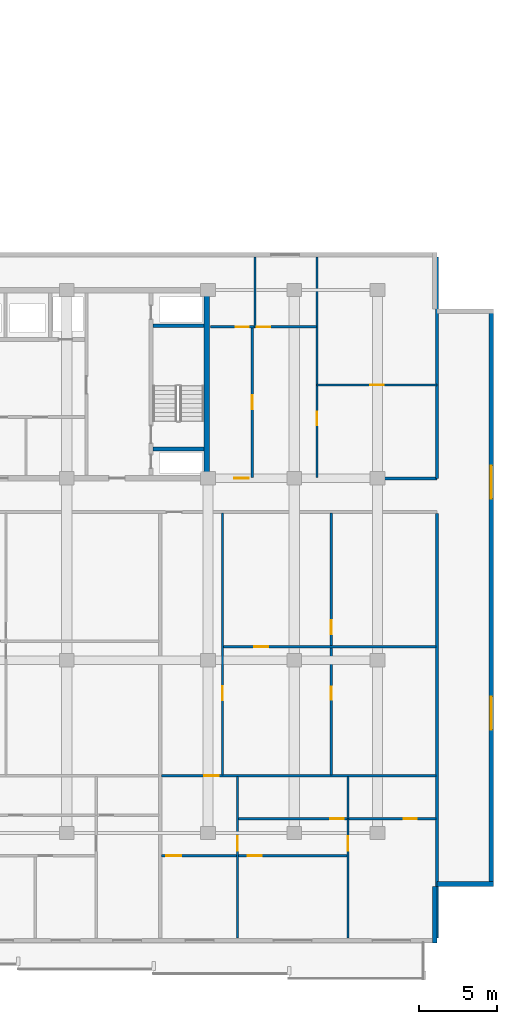
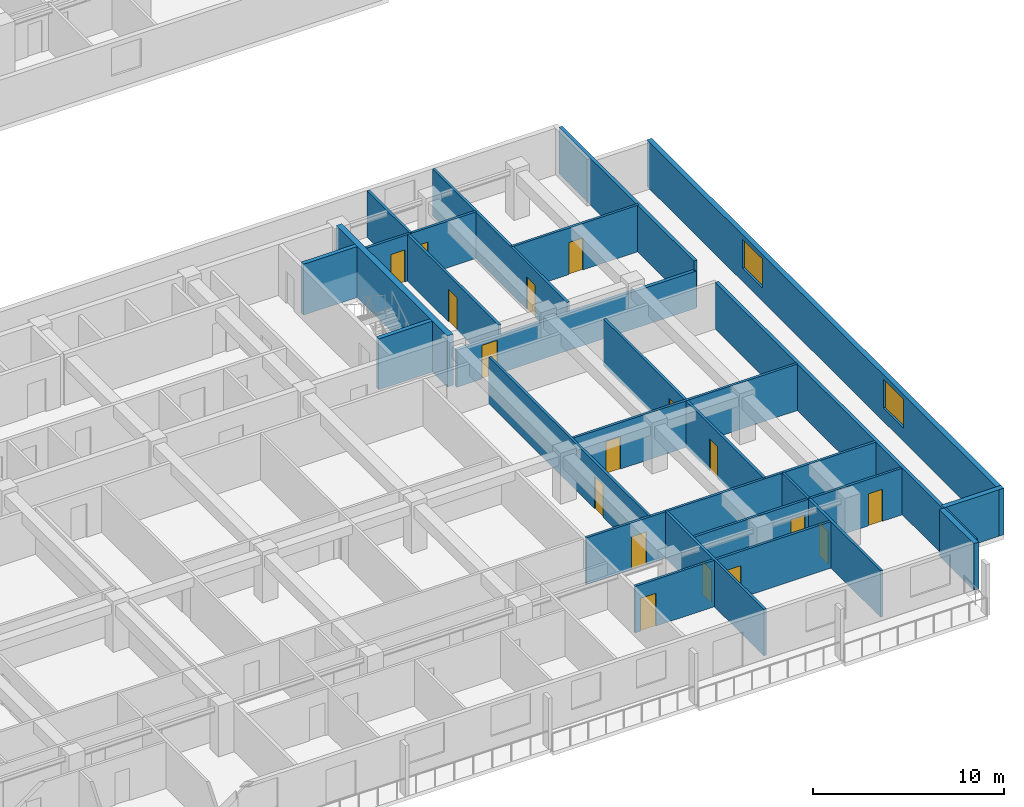
# One storey, part 8 of 23: 23 walls, 17 doors, 2 windows, 19 openings.
"""IFC4 building model written with IfcOpenShell, lengths in metres."""

from ifc_helpers import new_model, si_unit, direction, frame, frame_2d, origin, place, context, subcontext, project, spatial, rectangle, extrude, material, layer, layer_set, type_object, element, fill, save


model = new_model("IFC4")

# Units and contexts
model_context = context("Model", 3, precision=1e-05, world=origin(), true_north=direction((0.0, 1.0)))
body_context = subcontext(model_context, "Body", "Model", "MODEL_VIEW")
ifc_project = project(units=[si_unit("LENGTHUNIT", "METRE"), si_unit("AREAUNIT", "SQUARE_METRE"), si_unit("VOLUMEUNIT", "CUBIC_METRE"), si_unit("PLANEANGLEUNIT", "RADIAN"), si_unit("MASSUNIT", "GRAM", prefix="KILO")], contexts=[model_context])

# Site, building, storey
site_placement = place(None, origin())
site = spatial("IfcSite", under=ifc_project, at=site_placement, CompositionType="ELEMENT")
building_placement = place(site_placement, origin())
building = spatial("IfcBuilding", under=site, at=building_placement, Name="Korimba Cascade Residences", CompositionType="ELEMENT")
storey_placement = place(building_placement, frame((0.0, 0.0, 53.25)))
storey = spatial("IfcBuildingStorey", under=building, at=storey_placement, Name="L14", CompositionType="ELEMENT", Elevation=53.25)

# Walls
ifc_material_1 = material(Name="Precast concrete C40/50", Category="concrete")
ifc_layer_1 = layer(ifc_material_1, 0.300048828125)
ifc_layer_set_1 = layer_set([ifc_layer_1], Name="Precast concrete C40/50")
wall_type_1 = type_object("IfcWallType", Name="EW-STONE-300", PredefinedType="STANDARD", material=ifc_layer_set_1)
wall_1_placement = place(storey_placement, frame((132.550048828125, -11.199951171875, 0.0), z_axis=(0.0, 0.0, 1.0), x_axis=(0.0, 1.0, 0.0)))
element("IfcWall", 1, at=wall_1_placement, inside=storey, type_object=wall_type_1, Name="L14 T2 Perimeter Stone Wall E01", PredefinedType="STANDARD", context=body_context, shape_type="SweptSolid", body=[
    extrude(rectangle(XDim=3.599853515625, YDim=0.300048828125, at=frame_2d((1.7998046875, 0.0))), origin(), (0.0, 0.0, 1.0), 2.969970703125),
])
wall_2_placement = place(storey_placement, frame((132.699951171875, -7.449951171875, 0.0), z_axis=(0.0, 0.0, 1.0), x_axis=(1.0, 0.0, 0.0)))
element("IfcWall", 2, at=wall_2_placement, inside=storey, type_object=wall_type_1, Name="L14 T2 Perimeter Stone Wall E02", PredefinedType="STANDARD", context=body_context, shape_type="SweptSolid", body=[
    extrude(rectangle(XDim=3.60009765625, YDim=0.300048828125, at=frame_2d((1.800048828125, 0.0))), origin(), (0.0, 0.0, 1.0), 2.969970703125),
])

# Wall, openings, windows
wall_3_placement = place(storey_placement, frame((136.14990234375, -7.60009765625, 0.0), z_axis=(0.0, 0.0, 1.0), x_axis=(0.0, 1.0, 0.0)))
wall_3 = element("IfcWall", 3, at=wall_3_placement, inside=storey, type_object=wall_type_1, Name="L14 T2 Perimeter Stone Wall E03", PredefinedType="STANDARD", context=body_context, shape_type="SweptSolid", body=[
    extrude(rectangle(XDim=36.800048828125, YDim=0.300048828125, at=frame_2d((18.39990234375, 0.0))), origin(), (0.0, 0.0, 1.0), 2.969970703125),
])
opening_1_placement = place(wall_3_placement, frame((9.989990234375, 0.0, 0.85009765625)))
opening_1 = element("IfcOpeningElement", 4, at=opening_1_placement, cuts=wall_3, Name="Opening W-03", PredefinedType="OPENING", context=body_context, shape_type="SweptSolid", body=[
    extrude(rectangle(XDim=2.10009765625, YDim=1.85009765625, at=frame_2d((1.050048828125, 0.925048828125))), frame((0.0, 0.16015625, 0.0), z_axis=(0.0, -1.0, 0.0), x_axis=(1.0, 0.0, 0.0)), (0.0, 0.0, 1.0), 0.320068359375),
])
opening_2_placement = place(wall_3_placement, frame((24.7099609375, 0.0, 0.85009765625)))
opening_2 = element("IfcOpeningElement", 5, at=opening_2_placement, cuts=wall_3, Name="Opening W-03", PredefinedType="OPENING", context=body_context, shape_type="SweptSolid", body=[
    extrude(rectangle(XDim=2.10009765625, YDim=1.85009765625, at=frame_2d((1.050048828125, 0.925048828125))), frame((0.0, 0.16015625, 0.0), z_axis=(0.0, -1.0, 0.0), x_axis=(1.0, 0.0, 0.0)), (0.0, 0.0, 1.0), 0.320068359375),
])
ifc_material_2 = material(Name="Double-Glazed Aluminium Window", Category="aluminium")
window_type = type_object("IfcWindowType", Name="WIN-CRN-2100", PartitioningType="DOUBLE_PANEL_HORIZONTAL", PredefinedType="WINDOW", material=ifc_material_2)
window_1_placement = place(opening_1_placement, origin())
window_1 = element("IfcWindow", 6, at=window_1_placement, inside=storey, type_object=window_type, Name="L14 T2 End View Window 3.1", OverallHeight=1.85009765625, OverallWidth=2.10009765625, PartitioningType="DOUBLE_PANEL_HORIZONTAL", PredefinedType="WINDOW", context=body_context, shape_type="SweptSolid", body=[
    extrude(rectangle(XDim=2.10009765625, YDim=1.85009765625, at=frame_2d((1.050048828125, 0.925048828125))), frame((0.0, 0.030029296875, 0.0), z_axis=(0.0, -1.0, 0.0), x_axis=(1.0, 0.0, 0.0)), (0.0, 0.0, 1.0), 0.06005859375),
])
fill(opening_1, window_1)
window_2_placement = place(opening_2_placement, origin())
window_2 = element("IfcWindow", 7, at=window_2_placement, inside=storey, type_object=window_type, Name="L14 T2 End View Window 3.2", OverallHeight=1.85009765625, OverallWidth=2.10009765625, PartitioningType="DOUBLE_PANEL_HORIZONTAL", PredefinedType="WINDOW", context=body_context, shape_type="SweptSolid", body=[
    extrude(rectangle(XDim=2.10009765625, YDim=1.85009765625, at=frame_2d((1.050048828125, 0.925048828125))), frame((0.0, 0.030029296875, 0.0), z_axis=(0.0, -1.0, 0.0), x_axis=(1.0, 0.0, 0.0)), (0.0, 0.0, 1.0), 0.06005859375),
])
fill(opening_2, window_2)

# Walls
ifc_material_3 = material(Name="Concrete C65/80", Category="concrete")
ifc_layer_2 = layer(ifc_material_3, 0.35009765625)
ifc_layer_set_2 = layer_set([ifc_layer_2], Name="Concrete C65/80")
wall_type_2 = type_object("IfcWallType", Name="WAL-CORE-350", PredefinedType="SHEAR", material=ifc_layer_set_2)
wall_4_placement = place(storey_placement, frame((118.014892578125, 18.574951171875, 0.0), z_axis=(0.0, 0.0, 1.0), x_axis=(0.0, 1.0, 0.0)))
element("IfcWall", 8, at=wall_4_placement, inside=storey, type_object=wall_type_2, Name="L14 Core Shear Wall CW-L14-T2-E", PredefinedType="SHEAR", context=body_context, shape_type="SweptSolid", body=[
    extrude(rectangle(XDim=11.650146484375, YDim=0.35009765625, at=frame_2d((5.8251953125, 0.0))), origin(), (0.0, 0.0, 1.0), 3.25),
])
ifc_layer_3 = layer(ifc_material_1, 0.199951171875)
ifc_layer_set_3 = layer_set([ifc_layer_3], Name="Precast concrete C40/50")
wall_type_3 = type_object("IfcWallType", Name="WAL-IT-200", PredefinedType="PARTITIONING", material=ifc_layer_set_3)
wall_5_placement = place(storey_placement, frame((132.699951171875, 18.39990234375, 0.0), z_axis=(0.0, 0.0, 1.0), x_axis=(0.0, 1.0, 0.0)))
element("IfcWall", 9, at=wall_5_placement, inside=storey, type_object=wall_type_3, Name="L14 Partition Wall WAL-L14-T2-FE-WR", PredefinedType="PARTITIONING", context=body_context, shape_type="SweptSolid", body=[
    extrude(rectangle(XDim=14.10009765625, YDim=0.199951171875, at=frame_2d((7.050048828125, 0.0))), origin(), (0.0, 0.0, 1.0), 2.969970703125),
])

# Wall, opening, door
wall_6_placement = place(storey_placement, frame((118.25, 18.39990234375, 0.0), z_axis=(0.0, 0.0, 1.0), x_axis=(1.0, 0.0, 0.0)))
wall_6 = element("IfcWall", 10, at=wall_6_placement, inside=storey, type_object=wall_type_3, Name="L14 Partition Wall WAL-L14-T2-FE-S", PredefinedType="PARTITIONING", context=body_context, shape_type="SweptSolid", body=[
    extrude(rectangle(XDim=14.449951171875, YDim=0.199951171875, at=frame_2d((7.22509765625, 0.0))), origin(), (0.0, 0.0, 1.0), 2.3701171875),
])
opening_3_placement = place(wall_6_placement, frame((1.510009765625, 0.0, 0.0)))
opening_3 = element("IfcOpeningElement", 11, at=opening_3_placement, cuts=wall_6, Name="Opening D-UN1", PredefinedType="OPENING", context=body_context, shape_type="SweptSolid", body=[
    extrude(rectangle(XDim=0.949951171875, YDim=2.14990234375, at=frame_2d((0.47509765625, 1.074951171875))), frame((0.0, 0.10986328125, 0.0), z_axis=(0.0, -1.0, 0.0), x_axis=(1.0, 0.0, 0.0)), (0.0, 0.0, 1.0), 0.219970703125),
])
ifc_material_4 = material(Name="Fire-Rated Hardwood Apartment Entrance Door", Category="wood")
door_type_1 = type_object("IfcDoorType", Name="DR-FD60-950", OperationType="NOTDEFINED", PredefinedType="DOOR", material=ifc_material_4)
door_1_placement = place(opening_3_placement, origin())
door_1 = element("IfcDoor", 12, at=door_1_placement, inside=storey, type_object=door_type_1, Name="L14-T2-FE Entrance Door", OperationType="SINGLE_SWING_RIGHT", OverallHeight=2.14990234375, OverallWidth=0.949951171875, PredefinedType="DOOR", context=body_context, shape_type="SweptSolid", body=[
    extrude(rectangle(XDim=0.949951171875, YDim=2.14990234375, at=frame_2d((0.47509765625, 1.074951171875))), frame((0.0, 0.02490234375, 0.0), z_axis=(0.0, -1.0, 0.0), x_axis=(1.0, 0.0, 0.0)), (0.0, 0.0, 1.0), 0.050048828125),
])
fill(opening_3, door_1)

# Wall
wall_7_placement = place(storey_placement, frame((132.699951171875, -10.89990234375, 0.0), z_axis=(0.0, 0.0, 1.0), x_axis=(0.0, 1.0, 0.0)))
element("IfcWall", 13, at=wall_7_placement, inside=storey, type_object=wall_type_3, Name="L14 Partition Wall WAL-L14-T2-BNDWR", PredefinedType="PARTITIONING", context=body_context, shape_type="SweptSolid", body=[
    extrude(rectangle(XDim=27.06982421875, YDim=0.199951171875, at=frame_2d((13.534912109375, 0.0))), origin(), (0.0, 0.0, 1.0), 2.969970703125),
])

# Wall, opening, door
ifc_material_5 = material(Name="Insulated Acoustic Stud Partition", Category="gypsum")
ifc_layer_4 = layer(ifc_material_5, 0.14990234375)
ifc_layer_set_4 = layer_set([ifc_layer_4], Name="Insulated Acoustic Stud Partition")
wall_type_4 = type_object("IfcWallType", Name="WAL-PART-150", PredefinedType="PARTITIONING", material=ifc_layer_set_4)
wall_8_placement = place(storey_placement, frame((125.050048828125, 24.35009765625, 0.0), z_axis=(0.0, 0.0, 1.0), x_axis=(1.0, 0.0, 0.0)))
wall_8 = element("IfcWall", 14, at=wall_8_placement, inside=storey, type_object=wall_type_4, Name="L14 Partition Wall WAL-L14-T2-FE-STH", PredefinedType="PARTITIONING", context=body_context, shape_type="SweptSolid", body=[
    extrude(rectangle(XDim=7.64990234375, YDim=0.14990234375, at=frame_2d((3.824951171875, 0.0))), origin(), (0.0, 0.0, 1.0), 2.969970703125),
])
opening_4_placement = place(wall_8_placement, frame((3.405029296875, 0.0, 0.0)))
opening_4 = element("IfcOpeningElement", 15, at=opening_4_placement, cuts=wall_8, Name="Opening D-BT1", PredefinedType="OPENING", context=body_context, shape_type="SweptSolid", body=[
    extrude(rectangle(XDim=0.840087890625, YDim=2.0400390625, at=frame_2d((0.419921875, 1.02001953125))), frame((0.0, 0.0849609375, 0.0), z_axis=(0.0, -1.0, 0.0), x_axis=(1.0, 0.0, 0.0)), (0.0, 0.0, 1.0), 0.169921875),
])
ifc_material_6 = material(Name="Moisture-Resistant Bathroom Timber Door", Category="wood")
door_type_2 = type_object("IfcDoorType", Name="DR-INT-850", OperationType="NOTDEFINED", PredefinedType="DOOR", material=ifc_material_6)
door_2_placement = place(opening_4_placement, origin())
door_2 = element("IfcDoor", 16, at=door_2_placement, inside=storey, type_object=door_type_2, Name="L14-T2-FE Dressing Store Door", OperationType="SINGLE_SWING_LEFT", OverallHeight=2.0400390625, OverallWidth=0.840087890625, PredefinedType="DOOR", context=body_context, shape_type="SweptSolid", body=[
    extrude(rectangle(XDim=0.840087890625, YDim=2.0400390625, at=frame_2d((0.419921875, 1.02001953125))), frame((0.0, 0.02490234375, 0.0), z_axis=(0.0, -1.0, 0.0), x_axis=(1.0, 0.0, 0.0)), (0.0, 0.0, 1.0), 0.050048828125),
])
fill(opening_4, door_2)

wall_9_placement = place(storey_placement, frame((125.050048828125, 18.449951171875, 0.0), z_axis=(0.0, 0.0, 1.0), x_axis=(0.0, 1.0, 0.0)))
wall_9 = element("IfcWall", 17, at=wall_9_placement, inside=storey, type_object=wall_type_4, Name="L14 Partition Wall WAL-L14-T2-FE-STV", PredefinedType="PARTITIONING", context=body_context, shape_type="SweptSolid", body=[
    extrude(rectangle(XDim=14.050048828125, YDim=0.14990234375, at=frame_2d((7.02490234375, 0.0))), origin(), (0.0, 0.0, 1.0), 2.969970703125),
])
opening_5_placement = place(wall_9_placement, frame((3.320068359375, 0.0, 0.0)))
opening_5 = element("IfcOpeningElement", 18, at=opening_5_placement, cuts=wall_9, Name="Opening D-IN2", PredefinedType="OPENING", context=body_context, shape_type="SweptSolid", body=[
    extrude(rectangle(XDim=0.8798828125, YDim=2.06005859375, at=frame_2d((0.43994140625, 1.030029296875))), frame((0.0, 0.0849609375, 0.0), z_axis=(0.0, -1.0, 0.0), x_axis=(1.0, 0.0, 0.0)), (0.0, 0.0, 1.0), 0.169921875),
])
ifc_material_7 = material(Name="Acoustic Timber Bedroom Door", Category="wood")
door_type_3 = type_object("IfcDoorType", Name="DR-INT-880", OperationType="NOTDEFINED", PredefinedType="DOOR", material=ifc_material_7)
door_3_placement = place(opening_5_placement, origin())
door_3 = element("IfcDoor", 19, at=door_3_placement, inside=storey, type_object=door_type_3, Name="L14-T2-FE Study Door", OperationType="SINGLE_SWING_RIGHT", OverallHeight=2.06005859375, OverallWidth=0.8798828125, PredefinedType="DOOR", context=body_context, shape_type="SweptSolid", body=[
    extrude(rectangle(XDim=0.8798828125, YDim=2.06005859375, at=frame_2d((0.43994140625, 1.030029296875))), frame((0.0, 0.02490234375, 0.0), z_axis=(0.0, -1.0, 0.0), x_axis=(1.0, 0.0, 0.0)), (0.0, 0.0, 1.0), 0.050048828125),
])
fill(opening_5, door_3)

wall_10_placement = place(storey_placement, frame((120.929931640625, 18.449951171875, 0.0), z_axis=(0.0, 0.0, 1.0), x_axis=(0.0, 1.0, 0.0)))
wall_10 = element("IfcWall", 20, at=wall_10_placement, inside=storey, type_object=wall_type_4, Name="L14 Partition Wall WAL-L14-T2-FE-VS", PredefinedType="PARTITIONING", context=body_context, shape_type="SweptSolid", body=[
    extrude(rectangle(XDim=9.60009765625, YDim=0.14990234375, at=frame_2d((4.800048828125, 0.0))), origin(), (0.0, 0.0, 1.0), 2.969970703125),
])
opening_6_placement = place(wall_10_placement, frame((4.340087890625, 0.0, 0.0)))
opening_6 = element("IfcOpeningElement", 21, at=opening_6_placement, cuts=wall_10, Name="Opening D-IN1", PredefinedType="OPENING", context=body_context, shape_type="SweptSolid", body=[
    extrude(rectangle(XDim=0.919921875, YDim=2.080078125, at=frame_2d((0.4599609375, 1.0400390625))), frame((0.0, 0.0849609375, 0.0), z_axis=(0.0, -1.0, 0.0), x_axis=(1.0, 0.0, 0.0)), (0.0, 0.0, 1.0), 0.169921875),
])
ifc_material_8 = material(Name="Acoustic Timber Living Door", Category="wood")
door_type_4 = type_object("IfcDoorType", Name="DR-INT-920", OperationType="NOTDEFINED", PredefinedType="DOOR", material=ifc_material_8)
door_4_placement = place(opening_6_placement, origin())
door_4 = element("IfcDoor", 22, at=door_4_placement, inside=storey, type_object=door_type_4, Name="L14-T2-FE Living Door", OperationType="SINGLE_SWING_LEFT", OverallHeight=2.080078125, OverallWidth=0.919921875, PredefinedType="DOOR", context=body_context, shape_type="SweptSolid", body=[
    extrude(rectangle(XDim=0.919921875, YDim=2.080078125, at=frame_2d((0.4599609375, 1.0400390625))), frame((0.0, 0.02490234375, 0.0), z_axis=(0.0, -1.0, 0.0), x_axis=(1.0, 0.0, 0.0)), (0.0, 0.0, 1.0), 0.050048828125),
])
fill(opening_6, door_4)

# Wall
wall_11_placement = place(storey_placement, frame((121.10009765625, 28.050048828125, 0.0), z_axis=(0.0, 0.0, 1.0), x_axis=(0.0, 1.0, 0.0)))
element("IfcWall", 23, at=wall_11_placement, inside=storey, type_object=wall_type_4, Name="L14 Partition Wall WAL-L14-T2-FE-VN", PredefinedType="PARTITIONING", context=body_context, shape_type="SweptSolid", body=[
    extrude(rectangle(XDim=4.449951171875, YDim=0.14990234375, at=frame_2d((2.22509765625, 0.0))), origin(), (0.0, 0.0, 1.0), 2.969970703125),
])

# Wall, openings, doors
wall_12_placement = place(storey_placement, frame((118.27001953125, 28.050048828125, 0.0), z_axis=(0.0, 0.0, 1.0), x_axis=(1.0, 0.0, 0.0)))
wall_12 = element("IfcWall", 24, at=wall_12_placement, inside=storey, type_object=wall_type_4, Name="L14 Partition Wall WAL-L14-T2-FE-H", PredefinedType="PARTITIONING", context=body_context, shape_type="SweptSolid", body=[
    extrude(rectangle(XDim=6.760009765625, YDim=0.14990234375, at=frame_2d((3.3798828125, 0.0))), origin(), (0.0, 0.0, 1.0), 2.969970703125),
])
opening_7_placement = place(wall_12_placement, frame((1.58740234375, 0.0, 0.0)))
opening_7 = element("IfcOpeningElement", 25, at=opening_7_placement, cuts=wall_12, Name="Opening D-BT1", PredefinedType="OPENING", context=body_context, shape_type="SweptSolid", body=[
    extrude(rectangle(XDim=0.840087890625, YDim=2.0400390625, at=frame_2d((0.419921875, 1.02001953125))), frame((0.0, 0.0849609375, 0.0), z_axis=(0.0, -1.0, 0.0), x_axis=(1.0, 0.0, 0.0)), (0.0, 0.0, 1.0), 0.169921875),
])
opening_8_placement = place(wall_12_placement, frame((2.93408203125, 0.0, 0.0)))
opening_8 = element("IfcOpeningElement", 26, at=opening_8_placement, cuts=wall_12, Name="Opening D-IN2", PredefinedType="OPENING", context=body_context, shape_type="SweptSolid", body=[
    extrude(rectangle(XDim=0.8798828125, YDim=2.06005859375, at=frame_2d((0.43994140625, 1.030029296875))), frame((0.0, 0.0849609375, 0.0), z_axis=(0.0, -1.0, 0.0), x_axis=(1.0, 0.0, 0.0)), (0.0, 0.0, 1.0), 0.169921875),
])
door_5_placement = place(opening_7_placement, origin())
door_5 = element("IfcDoor", 27, at=door_5_placement, inside=storey, type_object=door_type_2, Name="L14-T2-FE Bathroom Door", OperationType="SINGLE_SWING_RIGHT", OverallHeight=2.0400390625, OverallWidth=0.840087890625, PredefinedType="DOOR", context=body_context, shape_type="SweptSolid", body=[
    extrude(rectangle(XDim=0.840087890625, YDim=2.0400390625, at=frame_2d((0.419921875, 1.02001953125))), frame((0.0, 0.02490234375, 0.0), z_axis=(0.0, -1.0, 0.0), x_axis=(1.0, 0.0, 0.0)), (0.0, 0.0, 1.0), 0.050048828125),
])
fill(opening_7, door_5)
door_6_placement = place(opening_8_placement, origin())
door_6 = element("IfcDoor", 28, at=door_6_placement, inside=storey, type_object=door_type_3, Name="L14-T2-FE Bedroom Door", OperationType="SINGLE_SWING_LEFT", OverallHeight=2.06005859375, OverallWidth=0.8798828125, PredefinedType="DOOR", context=body_context, shape_type="SweptSolid", body=[
    extrude(rectangle(XDim=0.8798828125, YDim=2.06005859375, at=frame_2d((0.43994140625, 1.030029296875))), frame((0.0, 0.02490234375, 0.0), z_axis=(0.0, -1.0, 0.0), x_axis=(1.0, 0.0, 0.0)), (0.0, 0.0, 1.0), 0.050048828125),
])
fill(opening_8, door_6)

wall_13_placement = place(storey_placement, frame((125.952880859375, -0.510009765625, 0.0), z_axis=(0.0, 0.0, 1.0), x_axis=(0.0, 1.0, 0.0)))
wall_13 = element("IfcWall", 29, at=wall_13_placement, inside=storey, type_object=wall_type_4, Name="L14 Partition Wall WAL-L14-T2-U03-FMV", PredefinedType="PARTITIONING", context=body_context, shape_type="SweptSolid", body=[
    extrude(rectangle(XDim=16.699951171875, YDim=0.14990234375, at=frame_2d((8.35009765625, 0.0))), origin(), (0.0, 0.0, 1.0), 2.969970703125),
])
opening_9_placement = place(wall_13_placement, frame((4.791748046875, 0.0, 0.0)))
opening_9 = element("IfcOpeningElement", 30, at=opening_9_placement, cuts=wall_13, Name="Opening D-BT1", PredefinedType="OPENING", context=body_context, shape_type="SweptSolid", body=[
    extrude(rectangle(XDim=0.840087890625, YDim=2.0400390625, at=frame_2d((0.419921875, 1.02001953125))), frame((0.0, 0.0849609375, 0.0), z_axis=(0.0, -1.0, 0.0), x_axis=(1.0, 0.0, 0.0)), (0.0, 0.0, 1.0), 0.169921875),
])
opening_10_placement = place(wall_13_placement, frame((8.98388671875, 0.0, 0.0)))
opening_10 = element("IfcOpeningElement", 31, at=opening_10_placement, cuts=wall_13, Name="Opening D-IN2", PredefinedType="OPENING", context=body_context, shape_type="SweptSolid", body=[
    extrude(rectangle(XDim=0.8798828125, YDim=2.06005859375, at=frame_2d((0.43994140625, 1.030029296875))), frame((0.0, 0.0849609375, 0.0), z_axis=(0.0, -1.0, 0.0), x_axis=(1.0, 0.0, 0.0)), (0.0, 0.0, 1.0), 0.169921875),
])
door_7_placement = place(opening_9_placement, origin())
door_7 = element("IfcDoor", 32, at=door_7_placement, inside=storey, type_object=door_type_2, Name="L14-T2-U03 Wardrobe Door", OperationType="SINGLE_SWING_RIGHT", OverallHeight=2.0400390625, OverallWidth=0.840087890625, PredefinedType="DOOR", context=body_context, shape_type="SweptSolid", body=[
    extrude(rectangle(XDim=0.840087890625, YDim=2.0400390625, at=frame_2d((0.419921875, 1.02001953125))), frame((0.0, 0.02490234375, 0.0), z_axis=(0.0, -1.0, 0.0), x_axis=(1.0, 0.0, 0.0)), (0.0, 0.0, 1.0), 0.050048828125),
])
fill(opening_9, door_7)
door_8_placement = place(opening_10_placement, origin())
door_8 = element("IfcDoor", 33, at=door_8_placement, inside=storey, type_object=door_type_3, Name="L14-T2-U03 Music Lounge Door", OperationType="SINGLE_SWING_LEFT", OverallHeight=2.06005859375, OverallWidth=0.8798828125, PredefinedType="DOOR", context=body_context, shape_type="SweptSolid", body=[
    extrude(rectangle(XDim=0.8798828125, YDim=2.06005859375, at=frame_2d((0.43994140625, 1.030029296875))), frame((0.0, 0.02490234375, 0.0), z_axis=(0.0, -1.0, 0.0), x_axis=(1.0, 0.0, 0.0)), (0.0, 0.0, 1.0), 0.050048828125),
])
fill(opening_10, door_8)

# Wall, opening, door
wall_14_placement = place(storey_placement, frame((119.085693359375, 7.659912109375, 0.0), z_axis=(0.0, 0.0, 1.0), x_axis=(1.0, 0.0, 0.0)))
wall_14 = element("IfcWall", 34, at=wall_14_placement, inside=storey, type_object=wall_type_4, Name="L14 Partition Wall WAL-L14-T2-U03-FMH", PredefinedType="PARTITIONING", context=body_context, shape_type="SweptSolid", body=[
    extrude(rectangle(XDim=13.534423828125, YDim=0.14990234375, at=frame_2d((6.76708984375, 0.0))), origin(), (0.0, 0.0, 1.0), 2.969970703125),
])
opening_11_placement = place(wall_14_placement, frame((1.97509765625, 0.0, 0.0)))
opening_11 = element("IfcOpeningElement", 35, at=opening_11_placement, cuts=wall_14, Name="Opening D-IN2", PredefinedType="OPENING", context=body_context, shape_type="SweptSolid", body=[
    extrude(rectangle(XDim=0.8798828125, YDim=2.06005859375, at=frame_2d((0.43994140625, 1.030029296875))), frame((0.0, 0.0849609375, 0.0), z_axis=(0.0, -1.0, 0.0), x_axis=(1.0, 0.0, 0.0)), (0.0, 0.0, 1.0), 0.169921875),
])
door_9_placement = place(opening_11_placement, origin())
door_9 = element("IfcDoor", 36, at=door_9_placement, inside=storey, type_object=door_type_3, Name="L14-T2-U03 Library Salon Door", OperationType="SINGLE_SWING_RIGHT", OverallHeight=2.06005859375, OverallWidth=0.8798828125, PredefinedType="DOOR", context=body_context, shape_type="SweptSolid", body=[
    extrude(rectangle(XDim=0.8798828125, YDim=2.06005859375, at=frame_2d((0.43994140625, 1.030029296875))), frame((0.0, 0.02490234375, 0.0), z_axis=(0.0, -1.0, 0.0), x_axis=(1.0, 0.0, 0.0)), (0.0, 0.0, 1.0), 0.050048828125),
])
fill(opening_11, door_9)

wall_15_placement = place(storey_placement, frame((119.02587890625, -0.510009765625, 0.0), z_axis=(0.0, 0.0, 1.0), x_axis=(0.0, 1.0, 0.0)))
wall_15 = element("IfcWall", 37, at=wall_15_placement, inside=storey, type_object=wall_type_4, Name="L14 Partition Wall WAL-L14-T2-U03-FV", PredefinedType="PARTITIONING", context=body_context, shape_type="SweptSolid", body=[
    extrude(rectangle(XDim=16.699951171875, YDim=0.14990234375, at=frame_2d((8.35009765625, 0.0))), origin(), (0.0, 0.0, 1.0), 2.969970703125),
])
opening_12_placement = place(wall_15_placement, frame((4.765380859375, 0.0, 0.0)))
opening_12 = element("IfcOpeningElement", 38, at=opening_12_placement, cuts=wall_15, Name="Opening D-IN2", PredefinedType="OPENING", context=body_context, shape_type="SweptSolid", body=[
    extrude(rectangle(XDim=0.8798828125, YDim=2.06005859375, at=frame_2d((0.43994140625, 1.030029296875))), frame((0.0, 0.0849609375, 0.0), z_axis=(0.0, -1.0, 0.0), x_axis=(1.0, 0.0, 0.0)), (0.0, 0.0, 1.0), 0.169921875),
])
door_10_placement = place(opening_12_placement, origin())
door_10 = element("IfcDoor", 39, at=door_10_placement, inside=storey, type_object=door_type_3, Name="L14-T2-U03 Media Lounge Door", OperationType="SINGLE_SWING_LEFT", OverallHeight=2.06005859375, OverallWidth=0.8798828125, PredefinedType="DOOR", context=body_context, shape_type="SweptSolid", body=[
    extrude(rectangle(XDim=0.8798828125, YDim=2.06005859375, at=frame_2d((0.43994140625, 1.030029296875))), frame((0.0, 0.02490234375, 0.0), z_axis=(0.0, -1.0, 0.0), x_axis=(1.0, 0.0, 0.0)), (0.0, 0.0, 1.0), 0.050048828125),
])
fill(opening_12, door_10)

wall_16_placement = place(storey_placement, frame((119.97998046875, -10.89990234375, 0.0), z_axis=(0.0, 0.0, 1.0), x_axis=(0.0, 1.0, 0.0)))
wall_16 = element("IfcWall", 40, at=wall_16_placement, inside=storey, type_object=wall_type_4, Name="L14 Partition Wall WAL-L14-T2-U03-V1", PredefinedType="PARTITIONING", context=body_context, shape_type="SweptSolid", body=[
    extrude(rectangle(XDim=10.309814453125, YDim=0.14990234375, at=frame_2d((5.15478515625, 0.0))), origin(), (0.0, 0.0, 1.0), 2.969970703125),
])
opening_13_placement = place(wall_16_placement, frame((5.570068359375, 0.0, 0.0)))
opening_13 = element("IfcOpeningElement", 41, at=opening_13_placement, cuts=wall_16, Name="Opening D-IN1", PredefinedType="OPENING", context=body_context, shape_type="SweptSolid", body=[
    extrude(rectangle(XDim=0.919921875, YDim=2.080078125, at=frame_2d((0.4599609375, 1.0400390625))), frame((0.0, 0.0849609375, 0.0), z_axis=(0.0, -1.0, 0.0), x_axis=(1.0, 0.0, 0.0)), (0.0, 0.0, 1.0), 0.169921875),
])
door_11_placement = place(opening_13_placement, origin())
door_11 = element("IfcDoor", 42, at=door_11_placement, inside=storey, type_object=door_type_4, Name="L14-T2-U03 Hallway Door", OperationType="SINGLE_SWING_RIGHT", OverallHeight=2.080078125, OverallWidth=0.919921875, PredefinedType="DOOR", context=body_context, shape_type="SweptSolid", body=[
    extrude(rectangle(XDim=0.919921875, YDim=2.080078125, at=frame_2d((0.4599609375, 1.0400390625))), frame((0.0, 0.02490234375, 0.0), z_axis=(0.0, -1.0, 0.0), x_axis=(1.0, 0.0, 0.0)), (0.0, 0.0, 1.0), 0.050048828125),
])
fill(opening_13, door_11)

# Wall
wall_17_placement = place(storey_placement, frame((127.02001953125, -3.280029296875, 0.0), z_axis=(0.0, 0.0, 1.0), x_axis=(0.0, 1.0, 0.0)))
element("IfcWall", 43, at=wall_17_placement, inside=storey, type_object=wall_type_4, Name="L14 Partition Wall WAL-L14-T2-U03-VBATH", PredefinedType="PARTITIONING", context=body_context, shape_type="SweptSolid", body=[
    extrude(rectangle(XDim=2.68994140625, YDim=0.14990234375, at=frame_2d((1.344970703125, 0.0))), origin(), (0.0, 0.0, 1.0), 2.969970703125),
])

# Wall, opening, door
wall_18_placement = place(storey_placement, frame((127.02001953125, -10.89990234375, 0.0), z_axis=(0.0, 0.0, 1.0), x_axis=(0.0, 1.0, 0.0)))
wall_18 = element("IfcWall", 44, at=wall_18_placement, inside=storey, type_object=wall_type_4, Name="L14 Partition Wall WAL-L14-T2-U03-V2FULL", PredefinedType="PARTITIONING", context=body_context, shape_type="SweptSolid", body=[
    extrude(rectangle(XDim=7.579833984375, YDim=0.14990234375, at=frame_2d((3.7900390625, 0.0))), origin(), (0.0, 0.0, 1.0), 2.969970703125),
])
opening_14_placement = place(wall_18_placement, frame((5.570068359375, 0.0, 0.0)))
opening_14 = element("IfcOpeningElement", 45, at=opening_14_placement, cuts=wall_18, Name="Opening D-IN1", PredefinedType="OPENING", context=body_context, shape_type="SweptSolid", body=[
    extrude(rectangle(XDim=0.919921875, YDim=2.080078125, at=frame_2d((0.4599609375, 1.0400390625))), frame((0.0, 0.0849609375, 0.0), z_axis=(0.0, -1.0, 0.0), x_axis=(1.0, 0.0, 0.0)), (0.0, 0.0, 1.0), 0.169921875),
])
door_12_placement = place(opening_14_placement, origin())
door_12 = element("IfcDoor", 46, at=door_12_placement, inside=storey, type_object=door_type_4, Name="L14-T2-U03 Master Bedroom Door", OperationType="SINGLE_SWING_LEFT", OverallHeight=2.080078125, OverallWidth=0.919921875, PredefinedType="DOOR", context=body_context, shape_type="SweptSolid", body=[
    extrude(rectangle(XDim=0.919921875, YDim=2.080078125, at=frame_2d((0.4599609375, 1.0400390625))), frame((0.0, 0.02490234375, 0.0), z_axis=(0.0, -1.0, 0.0), x_axis=(1.0, 0.0, 0.0)), (0.0, 0.0, 1.0), 0.050048828125),
])
fill(opening_14, door_12)

# Wall, openings, doors
wall_19_placement = place(storey_placement, frame((120.02001953125, -3.300048828125, 0.0), z_axis=(0.0, 0.0, 1.0), x_axis=(1.0, 0.0, 0.0)))
wall_19 = element("IfcWall", 47, at=wall_19_placement, inside=storey, type_object=wall_type_4, Name="L14 Partition Wall WAL-L14-T2-U03-HWALL", PredefinedType="PARTITIONING", context=body_context, shape_type="SweptSolid", body=[
    extrude(rectangle(XDim=12.60009765625, YDim=0.14990234375, at=frame_2d((6.300048828125, 0.0))), origin(), (0.0, 0.0, 1.0), 2.969970703125),
])
opening_15_placement = place(wall_19_placement, frame((5.8798828125, 0.0, 0.0)))
opening_15 = element("IfcOpeningElement", 48, at=opening_15_placement, cuts=wall_19, Name="Opening D-BT1", PredefinedType="OPENING", context=body_context, shape_type="SweptSolid", body=[
    extrude(rectangle(XDim=0.840087890625, YDim=2.0400390625, at=frame_2d((0.419921875, 1.02001953125))), frame((0.0, 0.0849609375, 0.0), z_axis=(0.0, -1.0, 0.0), x_axis=(1.0, 0.0, 0.0)), (0.0, 0.0, 1.0), 0.169921875),
])
opening_16_placement = place(wall_19_placement, frame((10.54150390625, 0.0, 0.0)))
opening_16 = element("IfcOpeningElement", 49, at=opening_16_placement, cuts=wall_19, Name="Opening D-BT1", PredefinedType="OPENING", context=body_context, shape_type="SweptSolid", body=[
    extrude(rectangle(XDim=0.840087890625, YDim=2.0400390625, at=frame_2d((0.419921875, 1.02001953125))), frame((0.0, 0.0849609375, 0.0), z_axis=(0.0, -1.0, 0.0), x_axis=(1.0, 0.0, 0.0)), (0.0, 0.0, 1.0), 0.169921875),
])
door_13_placement = place(opening_15_placement, origin())
door_13 = element("IfcDoor", 50, at=door_13_placement, inside=storey, type_object=door_type_2, Name="L14-T2-U03 Family Bathroom Door", OperationType="SINGLE_SWING_RIGHT", OverallHeight=2.0400390625, OverallWidth=0.840087890625, PredefinedType="DOOR", context=body_context, shape_type="SweptSolid", body=[
    extrude(rectangle(XDim=0.840087890625, YDim=2.0400390625, at=frame_2d((0.419921875, 1.02001953125))), frame((0.0, 0.02490234375, 0.0), z_axis=(0.0, -1.0, 0.0), x_axis=(1.0, 0.0, 0.0)), (0.0, 0.0, 1.0), 0.050048828125),
])
fill(opening_15, door_13)
door_14_placement = place(opening_16_placement, origin())
door_14 = element("IfcDoor", 51, at=door_14_placement, inside=storey, type_object=door_type_2, Name="L14-T2-U03 En-Suite Door", OperationType="SINGLE_SWING_LEFT", OverallHeight=2.0400390625, OverallWidth=0.840087890625, PredefinedType="DOOR", context=body_context, shape_type="SweptSolid", body=[
    extrude(rectangle(XDim=0.840087890625, YDim=2.0400390625, at=frame_2d((0.419921875, 1.02001953125))), frame((0.0, 0.02490234375, 0.0), z_axis=(0.0, -1.0, 0.0), x_axis=(1.0, 0.0, 0.0)), (0.0, 0.0, 1.0), 0.050048828125),
])
fill(opening_16, door_14)

# Wall, opening, door
wall_20_placement = place(storey_placement, frame((115.1357421875, -0.550048828125, 0.0), z_axis=(0.0, 0.0, 1.0), x_axis=(1.0, 0.0, 0.0)))
wall_20 = element("IfcWall", 52, at=wall_20_placement, inside=storey, type_object=wall_type_4, Name="L14 Partition Wall WAL-L14-T2-U03-MW", PredefinedType="PARTITIONING", context=body_context, shape_type="SweptSolid", body=[
    extrude(rectangle(XDim=17.484375, YDim=0.14990234375, at=frame_2d((8.7421875, 0.0))), origin(), (0.0, 0.0, 1.0), 2.969970703125),
])
opening_17_placement = place(wall_20_placement, frame((2.719970703125, 0.0, 0.0)))
opening_17 = element("IfcOpeningElement", 53, at=opening_17_placement, cuts=wall_20, Name="Opening D-IN1", PredefinedType="OPENING", context=body_context, shape_type="SweptSolid", body=[
    extrude(rectangle(XDim=0.919921875, YDim=2.080078125, at=frame_2d((0.4599609375, 1.0400390625))), frame((0.0, 0.0849609375, 0.0), z_axis=(0.0, -1.0, 0.0), x_axis=(1.0, 0.0, 0.0)), (0.0, 0.0, 1.0), 0.169921875),
])
door_15_placement = place(opening_17_placement, origin())
door_15 = element("IfcDoor", 54, at=door_15_placement, inside=storey, type_object=door_type_4, Name="L14-T2-U03 Kitchen Door", OperationType="SINGLE_SWING_RIGHT", OverallHeight=2.080078125, OverallWidth=0.919921875, PredefinedType="DOOR", context=body_context, shape_type="SweptSolid", body=[
    extrude(rectangle(XDim=0.919921875, YDim=2.080078125, at=frame_2d((0.4599609375, 1.0400390625))), frame((0.0, 0.02490234375, 0.0), z_axis=(0.0, -1.0, 0.0), x_axis=(1.0, 0.0, 0.0)), (0.0, 0.0, 1.0), 0.050048828125),
])
fill(opening_17, door_15)

# Wall, openings, doors
wall_21_placement = place(storey_placement, frame((115.1357421875, -5.64990234375, 0.0), z_axis=(0.0, 0.0, 1.0), x_axis=(1.0, 0.0, 0.0)))
wall_21 = element("IfcWall", 55, at=wall_21_placement, inside=storey, type_object=wall_type_4, Name="L14 Partition Wall WAL-L14-T2-U03-HZ", PredefinedType="PARTITIONING", context=body_context, shape_type="SweptSolid", body=[
    extrude(rectangle(XDim=11.88427734375, YDim=0.14990234375, at=frame_2d((5.942138671875, 0.0))), origin(), (0.0, 0.0, 1.0), 2.969970703125),
])
opening_18_placement = place(wall_21_placement, frame((0.318115234375, 0.0, 0.0)))
opening_18 = element("IfcOpeningElement", 56, at=opening_18_placement, cuts=wall_21, Name="Opening D-IN0", PredefinedType="OPENING", context=body_context, shape_type="SweptSolid", body=[
    extrude(rectangle(XDim=0.93994140625, YDim=2.10009765625, at=frame_2d((0.469970703125, 1.050048828125))), frame((0.0, 0.0849609375, 0.0), z_axis=(0.0, -1.0, 0.0), x_axis=(1.0, 0.0, 0.0)), (0.0, 0.0, 1.0), 0.169921875),
])
opening_19_placement = place(wall_21_placement, frame((5.502197265625, 0.0, 0.0)))
opening_19 = element("IfcOpeningElement", 57, at=opening_19_placement, cuts=wall_21, Name="Opening D-IN2", PredefinedType="OPENING", context=body_context, shape_type="SweptSolid", body=[
    extrude(rectangle(XDim=0.8798828125, YDim=2.06005859375, at=frame_2d((0.43994140625, 1.030029296875))), frame((0.0, 0.0849609375, 0.0), z_axis=(0.0, -1.0, 0.0), x_axis=(1.0, 0.0, 0.0)), (0.0, 0.0, 1.0), 0.169921875),
])
door_16_placement = place(opening_19_placement, origin())
door_16 = element("IfcDoor", 58, at=door_16_placement, inside=storey, type_object=door_type_3, Name="L14-T2-U03 Bedroom 2 Door", OperationType="SINGLE_SWING_RIGHT", OverallHeight=2.06005859375, OverallWidth=0.8798828125, PredefinedType="DOOR", context=body_context, shape_type="SweptSolid", body=[
    extrude(rectangle(XDim=0.8798828125, YDim=2.06005859375, at=frame_2d((0.43994140625, 1.030029296875))), frame((0.0, 0.02490234375, 0.0), z_axis=(0.0, -1.0, 0.0), x_axis=(1.0, 0.0, 0.0)), (0.0, 0.0, 1.0), 0.050048828125),
])
fill(opening_19, door_16)
ifc_material_9 = material(Name="Acoustic Timber Living Archway Door", Category="wood")
door_type_5 = type_object("IfcDoorType", Name="DR-INT-950", OperationType="NOTDEFINED", PredefinedType="DOOR", material=ifc_material_9)
door_17_placement = place(opening_18_placement, origin())
door_17 = element("IfcDoor", 59, at=door_17_placement, inside=storey, type_object=door_type_5, Name="L14-T2-U03 Living Room Door", OperationType="SINGLE_SWING_LEFT", OverallHeight=2.10009765625, OverallWidth=0.93994140625, PredefinedType="DOOR", context=body_context, shape_type="SweptSolid", body=[
    extrude(rectangle(XDim=0.93994140625, YDim=2.10009765625, at=frame_2d((0.469970703125, 1.050048828125))), frame((0.0, 0.02490234375, 0.0), z_axis=(0.0, -1.0, 0.0), x_axis=(1.0, 0.0, 0.0)), (0.0, 0.0, 1.0), 0.050048828125),
])
fill(opening_18, door_17)

# Walls
ifc_material_10 = material(Name="Concrete C50/60", Category="concrete")
ifc_layer_5 = layer(ifc_material_10, 0.25)
ifc_layer_set_5 = layer_set([ifc_layer_5], Name="Concrete C50/60")
wall_type_5 = type_object("IfcWallType", Name="WAL-SHAFT-250", PredefinedType="SHEAR", material=ifc_layer_set_5)
for number, where, z_axis, x_axis, name in (
    (60, (114.60009765625, 20.27490234375, 0.0), (0.0, 0.0, 1.0), (1.0, 0.0, 0.0), "L14 Core Shear Wall CW-L14-T2-STE2S"),
    (61, (114.60009765625, 28.125, 0.0), (0.0, 0.0, 1.0), (1.0, 0.0, 0.0), "L14 Core Shear Wall CW-L14-T2-STE2N"),
):
    element("IfcWall", number, at=place(storey_placement, frame(where, z_axis=z_axis, x_axis=x_axis)), inside=storey, type_object=wall_type_5, Name=name, PredefinedType="SHEAR", context=body_context, shape_type="SweptSolid", body=[
        extrude(rectangle(XDim=3.239990234375, YDim=0.25, at=frame_2d((1.6201171875, 0.0))), origin(), (0.0, 0.0, 1.0), 3.25),
    ])

save(model, "model.ifc")
